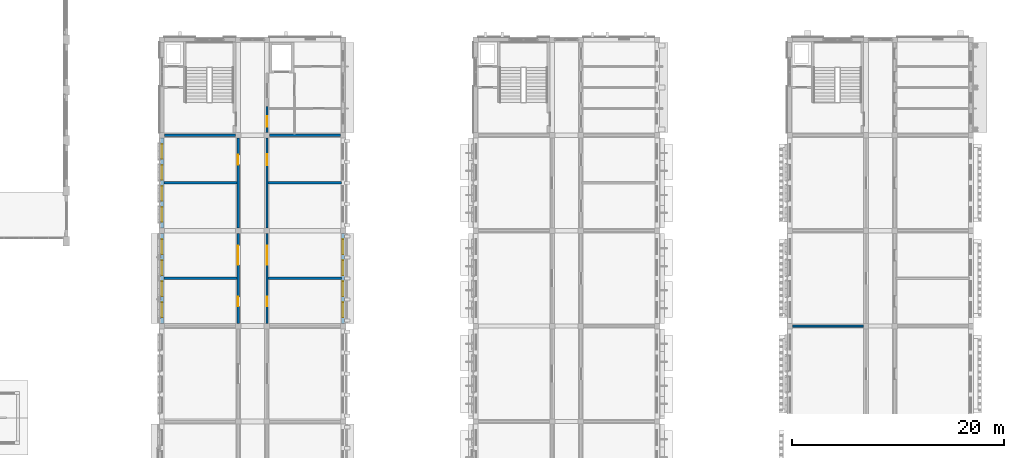
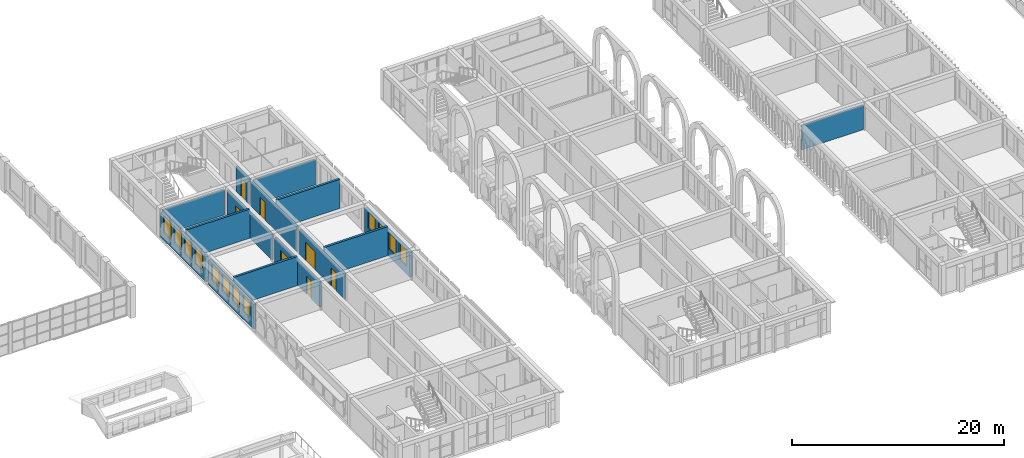
# One storey, part 39 of 70: 15 walls, 12 windows, 7 doors, 19 openings.
"""IFC4 building model written with IfcOpenShell, lengths in metres."""

from ifc_helpers import new_model, si_unit, direction, frame, frame_2d, origin, place, context, subcontext, project, spatial, rectangle, extrude, material, layer, layer_set, type_object, element, fill, save


model = new_model("IFC4")

# Units and contexts
model_context = context("Model", 3, precision=1e-05, world=origin(), true_north=direction((0.0, 1.0)))
body_context = subcontext(model_context, "Body", "Model", "MODEL_VIEW")
ifc_project = project(units=[si_unit("LENGTHUNIT", "METRE"), si_unit("AREAUNIT", "SQUARE_METRE"), si_unit("VOLUMEUNIT", "CUBIC_METRE"), si_unit("PLANEANGLEUNIT", "RADIAN"), si_unit("MASSUNIT", "GRAM", prefix="KILO")], contexts=[model_context])

# Site, building, storey
site_placement = place(None, origin())
site = spatial("IfcSite", under=ifc_project, at=site_placement, CompositionType="ELEMENT")
building_placement = place(site_placement, origin())
building = spatial("IfcBuilding", under=site, at=building_placement, Name="Elbe Cascade School", CompositionType="ELEMENT")
storey_placement = place(building_placement, frame((0.0, 0.0, 8.10009765625)))
storey = spatial("IfcBuildingStorey", under=building, at=storey_placement, Name="L02", CompositionType="ELEMENT", Elevation=8.10009765625)

# Walls
ifc_material_1 = material(Name="Masonry - lime-sand block, plastered", Category="masonry")
ifc_layer_1 = layer(ifc_material_1, 0.239990234375)
ifc_layer_set_1 = layer_set([ifc_layer_1], Name="Masonry - lime-sand block, plastered")
wall_type_1 = type_object("IfcWallType", Name="Bar acoustic partition wall lime-sand block 240", PredefinedType="PARTITIONING", material=ifc_layer_set_1)
for number, where, z_axis, x_axis, name in (
    (1, (69.179931640625, 37.5, 0.0), (0.0, 0.0, 1.0), (1.0, 0.0, 0.0), "Bar acoustic partition wall lime-sand block 240"),
    (2, (69.179931640625, 46.5, 0.0), (0.0, 0.0, 1.0), (1.0, 0.0, 0.0), "Bar acoustic partition wall lime-sand block 240"),
):
    element("IfcWall", number, at=place(storey_placement, frame(where, z_axis=z_axis, x_axis=x_axis)), inside=storey, type_object=wall_type_1, Name=name, PredefinedType="PARTITIONING", context=body_context, shape_type="SweptSolid", body=[
        extrude(rectangle(XDim=6.920166015625, YDim=0.239990234375, at=frame_2d((3.4599609375, 0.0))), origin(), (0.0, 0.0, 1.0), 3.349853515625),
    ])
for number, where, z_axis, x_axis, name in (
    (3, (79.0, 37.5, 0.0), (0.0, 0.0, 1.0), (1.0, 0.0, 0.0), "Bar acoustic partition wall lime-sand block 240"),
    (4, (79.0, 46.5, 0.0), (0.0, 0.0, 1.0), (1.0, 0.0, 0.0), "Bar acoustic partition wall lime-sand block 240"),
):
    element("IfcWall", number, at=place(storey_placement, frame(where, z_axis=z_axis, x_axis=x_axis)), inside=storey, type_object=wall_type_1, Name=name, PredefinedType="PARTITIONING", context=body_context, shape_type="SweptSolid", body=[
        extrude(rectangle(XDim=6.919921875, YDim=0.239990234375, at=frame_2d((3.4599609375, 0.0))), origin(), (0.0, 0.0, 1.0), 3.349853515625),
    ])
ifc_material_2 = material(Name="Masonry - lime-sand block, plastered", Category="masonry")
ifc_layer_2 = layer(ifc_material_2, 0.175048828125)
ifc_layer_set_2 = layer_set([ifc_layer_2], Name="Masonry - lime-sand block, plastered")
wall_type_2 = type_object("IfcWallType", Name="Bar classroom partition wall lime-sand block 175", PredefinedType="PARTITIONING", material=ifc_layer_set_2)
wall_1_placement = place(storey_placement, frame((128.449951171875, 33.0, 0.0), z_axis=(0.0, 0.0, 1.0), x_axis=(1.0, 0.0, 0.0)))
element("IfcWall", 5, at=wall_1_placement, inside=storey, type_object=wall_type_2, Name="Bar classroom partition wall lime-sand block 175", PredefinedType="PARTITIONING", context=body_context, shape_type="SweptSolid", body=[
    extrude(rectangle(XDim=6.699951171875, YDim=0.175048828125, at=frame_2d((3.35009765625, 0.0))), origin(), (0.0, 0.0, 1.0), 2.7998046875),
])

# Wall, opening, door
ifc_material_3 = material(Name="Masonry - lime-sand block, plastered", Category="masonry")
ifc_layer_3 = layer(ifc_material_3, 0.199951171875)
ifc_layer_set_3 = layer_set([ifc_layer_3], Name="Masonry - lime-sand block, plastered")
wall_type_3 = type_object("IfcWallType", Name="Bar corridor wall lime-sand block 200 EI 30", PredefinedType="PARTITIONING", material=ifc_layer_set_3)
wall_2_placement = place(storey_placement, frame((78.89990234375, 51.25, 0.0), z_axis=(0.0, 0.0, 1.0), x_axis=(0.0, 1.0, 0.0)))
wall_2 = element("IfcWall", 6, at=wall_2_placement, inside=storey, type_object=wall_type_3, Name="Bar corridor wall lime-sand block 200 EI 30", PredefinedType="PARTITIONING", context=body_context, shape_type="SweptSolid", body=[
    extrude(rectangle(XDim=2.449951171875, YDim=0.199951171875, at=frame_2d((1.22509765625, 0.0))), origin(), (0.0, 0.0, 1.0), 2.89990234375),
])
opening_1_placement = place(wall_2_placement, frame((0.550048828125, 0.0, 0.0)))
opening_1 = element("IfcOpeningElement", 7, at=opening_1_placement, cuts=wall_2, Name="Opening D2.020", PredefinedType="OPENING", context=body_context, shape_type="SweptSolid", body=[
    extrude(rectangle(XDim=1.0, YDim=2.10009765625, at=frame_2d((0.5, 1.050048828125))), frame((0.0, 0.10986328125, 0.0), z_axis=(0.0, -1.0, 0.0), x_axis=(1.0, 0.0, 0.0)), (0.0, 0.0, 1.0), 0.219970703125),
])
ifc_material_4 = material(Name="Timber door leaf, fire-resisting, steel frame", Category="steel")
door_type_1 = type_object("IfcDoorType", Name="Bar door FD30 1000x2100", OperationType="NOTDEFINED", PredefinedType="DOOR", material=ifc_material_4)
door_1_placement = place(opening_1_placement, origin())
door_1 = element("IfcDoor", 8, at=door_1_placement, inside=storey, type_object=door_type_1, Name="Door A2.19", OperationType="SINGLE_SWING_RIGHT", OverallHeight=2.10009765625, OverallWidth=1.0, PredefinedType="DOOR", context=body_context, shape_type="SweptSolid", body=[
    extrude(rectangle(XDim=1.0, YDim=2.10009765625, at=frame_2d((0.5, 1.050048828125))), frame((0.0, 0.02490234375, 0.0), z_axis=(0.0, -1.0, 0.0), x_axis=(1.0, 0.0, 0.0)), (0.0, 0.0, 1.0), 0.050048828125),
])
fill(opening_1, door_1)

# Wall, openings, doors
wall_3_placement = place(storey_placement, frame((76.199951171875, 33.25, 0.0), z_axis=(0.0, 0.0, 1.0), x_axis=(0.0, 1.0, 0.0)))
wall_3 = element("IfcWall", 9, at=wall_3_placement, inside=storey, type_object=wall_type_3, Name="Bar corridor wall lime-sand block 200 EI 30", PredefinedType="PARTITIONING", context=body_context, shape_type="SweptSolid", body=[
    extrude(rectangle(XDim=8.5, YDim=0.199951171875, at=frame_2d((4.25, 0.0))), origin(), (0.0, 0.0, 1.0), 2.89990234375),
])
opening_2_placement = place(wall_3_placement, frame((1.614990234375, 0.0, 0.0)))
opening_2 = element("IfcOpeningElement", 10, at=opening_2_placement, cuts=wall_3, Name="Opening D2.014", PredefinedType="OPENING", context=body_context, shape_type="SweptSolid", body=[
    extrude(rectangle(XDim=0.89990234375, YDim=2.10009765625, at=frame_2d((0.449951171875, 1.050048828125))), frame((0.0, 0.10986328125, 0.0), z_axis=(0.0, -1.0, 0.0), x_axis=(1.0, 0.0, 0.0)), (0.0, 0.0, 1.0), 0.219970703125),
])
opening_3_placement = place(wall_3_placement, frame((5.534912109375, 0.0, 0.0)))
opening_3 = element("IfcOpeningElement", 11, at=opening_3_placement, cuts=wall_3, Name="Opening D2.016", PredefinedType="OPENING", context=body_context, shape_type="SweptSolid", body=[
    extrude(rectangle(XDim=1.800048828125, YDim=2.10009765625, at=frame_2d((0.89990234375, 1.050048828125))), frame((0.0, 0.10986328125, 0.0), z_axis=(0.0, -1.0, 0.0), x_axis=(1.0, 0.0, 0.0)), (0.0, 0.0, 1.0), 0.219970703125),
])
ifc_material_5 = material(Name="Timber door leaves, fire-resisting, steel frame", Category="steel")
door_type_2 = type_object("IfcDoorType", Name="Bar door FD30 1800x2100", OperationType="NOTDEFINED", PredefinedType="DOOR", material=ifc_material_5)
door_2_placement = place(opening_3_placement, origin())
door_2 = element("IfcDoor", 12, at=door_2_placement, inside=storey, type_object=door_type_2, Name="Door A2.23", OperationType="DOUBLE_DOOR_DOUBLE_SWING", OverallHeight=2.10009765625, OverallWidth=1.800048828125, PredefinedType="DOOR", context=body_context, shape_type="SweptSolid", body=[
    extrude(rectangle(XDim=1.800048828125, YDim=2.10009765625, at=frame_2d((0.89990234375, 1.050048828125))), frame((0.0, 0.02490234375, 0.0), z_axis=(0.0, -1.0, 0.0), x_axis=(1.0, 0.0, 0.0)), (0.0, 0.0, 1.0), 0.050048828125),
])
fill(opening_3, door_2)
ifc_material_6 = material(Name="Timber door leaf, fire-resisting, steel frame", Category="steel")
door_type_3 = type_object("IfcDoorType", Name="Bar door FD30 900x2100", OperationType="NOTDEFINED", PredefinedType="DOOR", material=ifc_material_6)
door_3_placement = place(opening_2_placement, origin())
door_3 = element("IfcDoor", 13, at=door_3_placement, inside=storey, type_object=door_type_3, Name="Door A2.22", OperationType="SINGLE_SWING_LEFT", OverallHeight=2.10009765625, OverallWidth=0.89990234375, PredefinedType="DOOR", context=body_context, shape_type="SweptSolid", body=[
    extrude(rectangle(XDim=0.89990234375, YDim=2.10009765625, at=frame_2d((0.449951171875, 1.050048828125))), frame((0.0, 0.02490234375, 0.0), z_axis=(0.0, -1.0, 0.0), x_axis=(1.0, 0.0, 0.0)), (0.0, 0.0, 1.0), 0.050048828125),
])
fill(opening_2, door_3)

# Wall, opening, door
wall_4_placement = place(storey_placement, frame((76.199951171875, 42.25, 0.0), z_axis=(0.0, 0.0, 1.0), x_axis=(0.0, 1.0, 0.0)))
wall_4 = element("IfcWall", 14, at=wall_4_placement, inside=storey, type_object=wall_type_3, Name="Bar corridor wall lime-sand block 200 EI 30", PredefinedType="PARTITIONING", context=body_context, shape_type="SweptSolid", body=[
    extrude(rectangle(XDim=8.5, YDim=0.199951171875, at=frame_2d((4.25, 0.0))), origin(), (0.0, 0.0, 1.0), 2.89990234375),
])
opening_4_placement = place(wall_4_placement, frame((5.985107421875, 0.0, 0.0)))
opening_4 = element("IfcOpeningElement", 15, at=opening_4_placement, cuts=wall_4, Name="Opening D2.018", PredefinedType="OPENING", context=body_context, shape_type="SweptSolid", body=[
    extrude(rectangle(XDim=0.89990234375, YDim=2.10009765625, at=frame_2d((0.449951171875, 1.050048828125))), frame((0.0, 0.10986328125, 0.0), z_axis=(0.0, -1.0, 0.0), x_axis=(1.0, 0.0, 0.0)), (0.0, 0.0, 1.0), 0.219970703125),
])
door_4_placement = place(opening_4_placement, origin())
door_4 = element("IfcDoor", 16, at=door_4_placement, inside=storey, type_object=door_type_3, Name="Door A2.24", OperationType="SINGLE_SWING_LEFT", OverallHeight=2.10009765625, OverallWidth=0.89990234375, PredefinedType="DOOR", context=body_context, shape_type="SweptSolid", body=[
    extrude(rectangle(XDim=0.89990234375, YDim=2.10009765625, at=frame_2d((0.449951171875, 1.050048828125))), frame((0.0, 0.02490234375, 0.0), z_axis=(0.0, -1.0, 0.0), x_axis=(1.0, 0.0, 0.0)), (0.0, 0.0, 1.0), 0.050048828125),
])
fill(opening_4, door_4)

# Wall, openings, doors
wall_5_placement = place(storey_placement, frame((78.89990234375, 41.75, 0.0), z_axis=(0.0, 0.0, 1.0), x_axis=(0.0, -1.0, 0.0)))
wall_5 = element("IfcWall", 17, at=wall_5_placement, inside=storey, type_object=wall_type_3, Name="Bar corridor wall lime-sand block 200 EI 30", PredefinedType="PARTITIONING", context=body_context, shape_type="SweptSolid", body=[
    extrude(rectangle(XDim=8.5, YDim=0.199951171875, at=frame_2d((4.25, 0.0))), origin(), (0.0, 0.0, 1.0), 2.89990234375),
])
opening_5_placement = place(wall_5_placement, frame((5.985107421875, 0.0, 0.0)))
opening_5 = element("IfcOpeningElement", 18, at=opening_5_placement, cuts=wall_5, Name="Opening D2.015", PredefinedType="OPENING", context=body_context, shape_type="SweptSolid", body=[
    extrude(rectangle(XDim=0.89990234375, YDim=2.10009765625, at=frame_2d((0.449951171875, 1.050048828125))), frame((0.0, 0.10986328125, 0.0), z_axis=(0.0, -1.0, 0.0), x_axis=(1.0, 0.0, 0.0)), (0.0, 0.0, 1.0), 0.219970703125),
])
opening_6_placement = place(wall_5_placement, frame((1.1650390625, 0.0, 0.0)))
opening_6 = element("IfcOpeningElement", 19, at=opening_6_placement, cuts=wall_5, Name="Opening D2.017", PredefinedType="OPENING", context=body_context, shape_type="SweptSolid", body=[
    extrude(rectangle(XDim=1.800048828125, YDim=2.10009765625, at=frame_2d((0.89990234375, 1.050048828125))), frame((0.0, 0.10986328125, 0.0), z_axis=(0.0, -1.0, 0.0), x_axis=(1.0, 0.0, 0.0)), (0.0, 0.0, 1.0), 0.219970703125),
])
door_5_placement = place(opening_6_placement, origin())
door_5 = element("IfcDoor", 20, at=door_5_placement, inside=storey, type_object=door_type_2, Name="Door A2.28", OperationType="DOUBLE_DOOR_DOUBLE_SWING", OverallHeight=2.10009765625, OverallWidth=1.800048828125, PredefinedType="DOOR", context=body_context, shape_type="SweptSolid", body=[
    extrude(rectangle(XDim=1.800048828125, YDim=2.10009765625, at=frame_2d((0.89990234375, 1.050048828125))), frame((0.0, 0.02490234375, 0.0), z_axis=(0.0, -1.0, 0.0), x_axis=(1.0, 0.0, 0.0)), (0.0, 0.0, 1.0), 0.050048828125),
])
fill(opening_6, door_5)
door_6_placement = place(opening_5_placement, origin())
door_6 = element("IfcDoor", 21, at=door_6_placement, inside=storey, type_object=door_type_3, Name="Door A2.27", OperationType="SINGLE_SWING_RIGHT", OverallHeight=2.10009765625, OverallWidth=0.89990234375, PredefinedType="DOOR", context=body_context, shape_type="SweptSolid", body=[
    extrude(rectangle(XDim=0.89990234375, YDim=2.10009765625, at=frame_2d((0.449951171875, 1.050048828125))), frame((0.0, 0.02490234375, 0.0), z_axis=(0.0, -1.0, 0.0), x_axis=(1.0, 0.0, 0.0)), (0.0, 0.0, 1.0), 0.050048828125),
])
fill(opening_5, door_6)

# Wall, opening, door
wall_6_placement = place(storey_placement, frame((78.89990234375, 50.75, 0.0), z_axis=(0.0, 0.0, 1.0), x_axis=(0.0, -1.0, 0.0)))
wall_6 = element("IfcWall", 22, at=wall_6_placement, inside=storey, type_object=wall_type_3, Name="Bar corridor wall lime-sand block 200 EI 30", PredefinedType="PARTITIONING", context=body_context, shape_type="SweptSolid", body=[
    extrude(rectangle(XDim=8.5, YDim=0.199951171875, at=frame_2d((4.25, 0.0))), origin(), (0.0, 0.0, 1.0), 2.89990234375),
])
opening_7_placement = place(wall_6_placement, frame((1.56494140625, 0.0, 0.0)))
opening_7 = element("IfcOpeningElement", 23, at=opening_7_placement, cuts=wall_6, Name="Opening D2.019", PredefinedType="OPENING", context=body_context, shape_type="SweptSolid", body=[
    extrude(rectangle(XDim=1.0, YDim=2.10009765625, at=frame_2d((0.5, 1.050048828125))), frame((0.0, 0.10986328125, 0.0), z_axis=(0.0, -1.0, 0.0), x_axis=(1.0, 0.0, 0.0)), (0.0, 0.0, 1.0), 0.219970703125),
])
door_7_placement = place(opening_7_placement, origin())
door_7 = element("IfcDoor", 24, at=door_7_placement, inside=storey, type_object=door_type_1, Name="Door A2.29", OperationType="SINGLE_SWING_RIGHT", OverallHeight=2.10009765625, OverallWidth=1.0, PredefinedType="DOOR", context=body_context, shape_type="SweptSolid", body=[
    extrude(rectangle(XDim=1.0, YDim=2.10009765625, at=frame_2d((0.5, 1.050048828125))), frame((0.0, 0.02490234375, 0.0), z_axis=(0.0, -1.0, 0.0), x_axis=(1.0, 0.0, 0.0)), (0.0, 0.0, 1.0), 0.050048828125),
])
fill(opening_7, door_7)

# Walls
ifc_material_7 = material(Name="Masonry - lime-sand block, plastered", Category="masonry")
ifc_layer_4 = layer(ifc_material_7, 0.199951171875)
ifc_layer_set_4 = layer_set([ifc_layer_4], Name="Masonry - lime-sand block, plastered")
wall_type_4 = type_object("IfcWallType", Name="Bar partition wall lime-sand block 200", PredefinedType="PARTITIONING", material=ifc_layer_set_4)
wall_7_placement = place(storey_placement, frame((79.14990234375, 51.0, 0.0), z_axis=(0.0, 0.0, 1.0), x_axis=(1.0, 0.0, 0.0)))
element("IfcWall", 25, at=wall_7_placement, inside=storey, type_object=wall_type_4, Name="Bar partition wall lime-sand block 200", PredefinedType="PARTITIONING", context=body_context, shape_type="SweptSolid", body=[
    extrude(rectangle(XDim=6.7001953125, YDim=0.199951171875, at=frame_2d((3.35009765625, 0.0))), origin(), (0.0, 0.0, 1.0), 2.89990234375),
])
ifc_material_8 = material(Name="Concrete C30/37", Category="concrete")
ifc_layer_5 = layer(ifc_material_8, 0.199951171875)
ifc_layer_set_5 = layer_set([ifc_layer_5], Name="Concrete C30/37")
wall_type_5 = type_object("IfcWallType", Name="Bar stair lobby wall RC 200", PredefinedType="SOLIDWALL", material=ifc_layer_set_5)
wall_8_placement = place(storey_placement, frame((69.25, 51.0, 0.0), z_axis=(0.0, 0.0, 1.0), x_axis=(1.0, 0.0, 0.0)))
element("IfcWall", 26, at=wall_8_placement, inside=storey, type_object=wall_type_5, Name="Bar stair lobby wall RC 200", PredefinedType="SOLIDWALL", context=body_context, shape_type="SweptSolid", body=[
    extrude(rectangle(XDim=6.699951171875, YDim=0.199951171875, at=frame_2d((3.35009765625, 0.0))), origin(), (0.0, 0.0, 1.0), 2.89990234375),
])

# Wall, openings, windows
ifc_material_9 = material(Name="Brick masonry - red clinker, cavity wall with render backing", Category="masonry")
ifc_layer_6 = layer(ifc_material_9, 0.300048828125)
ifc_layer_set_6 = layer_set([ifc_layer_6], Name="Brick masonry - red clinker, cavity wall with render backing")
wall_type_6 = type_object("IfcWallType", Name="Bars envelope External wall - clinker brick cavity, 300 upper floors", PredefinedType="STANDARD", material=ifc_layer_set_6)
wall_9_placement = place(storey_placement, frame((69.030029296875, 33.25, 0.0), z_axis=(0.0, 0.0, 1.0), x_axis=(0.0, 1.0, 0.0)))
wall_9 = element("IfcWall", 27, at=wall_9_placement, inside=storey, type_object=wall_type_6, Name="External wall W30 A.L02.w4", PredefinedType="STANDARD", context=body_context, shape_type="SweptSolid", body=[
    extrude(rectangle(XDim=8.5, YDim=0.300048828125, at=frame_2d((4.25, 0.0))), origin(), (0.0, 0.0, 1.0), 2.849853515625),
])
opening_8_placement = place(wall_9_placement, frame((0.580078125, 0.0, 0.89990234375)))
opening_8 = element("IfcOpeningElement", 28, at=opening_8_placement, cuts=wall_9, Name="Opening W2.020", PredefinedType="OPENING", context=body_context, shape_type="SweptSolid", body=[
    extrude(rectangle(XDim=1.39990234375, YDim=1.89990234375, at=frame_2d((0.699951171875, 0.949951171875))), frame((0.0, 0.159912109375, 0.0), z_axis=(0.0, -1.0, 0.0), x_axis=(1.0, 0.0, 0.0)), (0.0, 0.0, 1.0), 0.320068359375),
])
opening_9_placement = place(wall_9_placement, frame((2.56005859375, 0.0, 0.89990234375)))
opening_9 = element("IfcOpeningElement", 29, at=opening_9_placement, cuts=wall_9, Name="Opening W2.022", PredefinedType="OPENING", context=body_context, shape_type="SweptSolid", body=[
    extrude(rectangle(XDim=1.39990234375, YDim=1.89990234375, at=frame_2d((0.699951171875, 0.949951171875))), frame((0.0, 0.159912109375, 0.0), z_axis=(0.0, -1.0, 0.0), x_axis=(1.0, 0.0, 0.0)), (0.0, 0.0, 1.0), 0.320068359375),
])
opening_10_placement = place(wall_9_placement, frame((4.5400390625, 0.0, 0.89990234375)))
opening_10 = element("IfcOpeningElement", 30, at=opening_10_placement, cuts=wall_9, Name="Opening W2.024", PredefinedType="OPENING", context=body_context, shape_type="SweptSolid", body=[
    extrude(rectangle(XDim=1.39990234375, YDim=1.89990234375, at=frame_2d((0.699951171875, 0.949951171875))), frame((0.0, 0.159912109375, 0.0), z_axis=(0.0, -1.0, 0.0), x_axis=(1.0, 0.0, 0.0)), (0.0, 0.0, 1.0), 0.320068359375),
])
opening_11_placement = place(wall_9_placement, frame((6.52001953125, 0.0, 0.89990234375)))
opening_11 = element("IfcOpeningElement", 31, at=opening_11_placement, cuts=wall_9, Name="Opening W2.026", PredefinedType="OPENING", context=body_context, shape_type="SweptSolid", body=[
    extrude(rectangle(XDim=1.39990234375, YDim=1.89990234375, at=frame_2d((0.699951171875, 0.949951171875))), frame((0.0, 0.159912109375, 0.0), z_axis=(0.0, -1.0, 0.0), x_axis=(1.0, 0.0, 0.0)), (0.0, 0.0, 1.0), 0.320068359375),
])
ifc_material_10 = material(Name="Aluminium frame with double glazing, bronze anodised", Category="aluminium")
window_type = type_object("IfcWindowType", Name="Bars envelope Window 1400 x 1900, laboratory and office, bench height sill, aluminium double glazed", PartitioningType="DOUBLE_PANEL_VERTICAL", PredefinedType="WINDOW", material=ifc_material_10)
window_1_placement = place(opening_8_placement, origin())
window_1 = element("IfcWindow", 32, at=window_1_placement, inside=storey, type_object=window_type, Name="Window WN6 A.L02.w4.1", OverallHeight=1.89990234375, OverallWidth=1.39990234375, PartitioningType="DOUBLE_PANEL_VERTICAL", PredefinedType="WINDOW", context=body_context, shape_type="SweptSolid", body=[
    extrude(rectangle(XDim=1.39990234375, YDim=1.89990234375, at=frame_2d((0.699951171875, 0.949951171875))), frame((0.0, 0.030029296875, 0.0), z_axis=(0.0, -1.0, 0.0), x_axis=(1.0, 0.0, 0.0)), (0.0, 0.0, 1.0), 0.06005859375),
])
fill(opening_8, window_1)
window_2_placement = place(opening_9_placement, origin())
window_2 = element("IfcWindow", 33, at=window_2_placement, inside=storey, type_object=window_type, Name="Window WN6 A.L02.w4.2", OverallHeight=1.89990234375, OverallWidth=1.39990234375, PartitioningType="DOUBLE_PANEL_VERTICAL", PredefinedType="WINDOW", context=body_context, shape_type="SweptSolid", body=[
    extrude(rectangle(XDim=1.39990234375, YDim=1.89990234375, at=frame_2d((0.699951171875, 0.949951171875))), frame((0.0, 0.030029296875, 0.0), z_axis=(0.0, -1.0, 0.0), x_axis=(1.0, 0.0, 0.0)), (0.0, 0.0, 1.0), 0.06005859375),
])
fill(opening_9, window_2)
window_3_placement = place(opening_10_placement, origin())
window_3 = element("IfcWindow", 34, at=window_3_placement, inside=storey, type_object=window_type, Name="Window WN6 A.L02.w4.3", OverallHeight=1.89990234375, OverallWidth=1.39990234375, PartitioningType="DOUBLE_PANEL_VERTICAL", PredefinedType="WINDOW", context=body_context, shape_type="SweptSolid", body=[
    extrude(rectangle(XDim=1.39990234375, YDim=1.89990234375, at=frame_2d((0.699951171875, 0.949951171875))), frame((0.0, 0.030029296875, 0.0), z_axis=(0.0, -1.0, 0.0), x_axis=(1.0, 0.0, 0.0)), (0.0, 0.0, 1.0), 0.06005859375),
])
fill(opening_10, window_3)
window_4_placement = place(opening_11_placement, origin())
window_4 = element("IfcWindow", 35, at=window_4_placement, inside=storey, type_object=window_type, Name="Window WN6 A.L02.w4.4", OverallHeight=1.89990234375, OverallWidth=1.39990234375, PartitioningType="DOUBLE_PANEL_VERTICAL", PredefinedType="WINDOW", context=body_context, shape_type="SweptSolid", body=[
    extrude(rectangle(XDim=1.39990234375, YDim=1.89990234375, at=frame_2d((0.699951171875, 0.949951171875))), frame((0.0, 0.030029296875, 0.0), z_axis=(0.0, -1.0, 0.0), x_axis=(1.0, 0.0, 0.0)), (0.0, 0.0, 1.0), 0.06005859375),
])
fill(opening_11, window_4)

wall_10_placement = place(storey_placement, frame((69.030029296875, 42.25, 0.0), z_axis=(0.0, 0.0, 1.0), x_axis=(0.0, 1.0, 0.0)))
wall_10 = element("IfcWall", 36, at=wall_10_placement, inside=storey, type_object=wall_type_6, Name="External wall W30 A.L02.w5", PredefinedType="STANDARD", context=body_context, shape_type="SweptSolid", body=[
    extrude(rectangle(XDim=8.5, YDim=0.300048828125, at=frame_2d((4.25, 0.0))), origin(), (0.0, 0.0, 1.0), 2.849853515625),
])
opening_12_placement = place(wall_10_placement, frame((0.580078125, 0.0, 0.89990234375)))
opening_12 = element("IfcOpeningElement", 37, at=opening_12_placement, cuts=wall_10, Name="Opening W2.028", PredefinedType="OPENING", context=body_context, shape_type="SweptSolid", body=[
    extrude(rectangle(XDim=1.39990234375, YDim=1.89990234375, at=frame_2d((0.699951171875, 0.949951171875))), frame((0.0, 0.159912109375, 0.0), z_axis=(0.0, -1.0, 0.0), x_axis=(1.0, 0.0, 0.0)), (0.0, 0.0, 1.0), 0.320068359375),
])
opening_13_placement = place(wall_10_placement, frame((2.56005859375, 0.0, 0.89990234375)))
opening_13 = element("IfcOpeningElement", 38, at=opening_13_placement, cuts=wall_10, Name="Opening W2.030", PredefinedType="OPENING", context=body_context, shape_type="SweptSolid", body=[
    extrude(rectangle(XDim=1.39990234375, YDim=1.89990234375, at=frame_2d((0.699951171875, 0.949951171875))), frame((0.0, 0.159912109375, 0.0), z_axis=(0.0, -1.0, 0.0), x_axis=(1.0, 0.0, 0.0)), (0.0, 0.0, 1.0), 0.320068359375),
])
opening_14_placement = place(wall_10_placement, frame((4.5400390625, 0.0, 0.89990234375)))
opening_14 = element("IfcOpeningElement", 39, at=opening_14_placement, cuts=wall_10, Name="Opening W2.032", PredefinedType="OPENING", context=body_context, shape_type="SweptSolid", body=[
    extrude(rectangle(XDim=1.39990234375, YDim=1.89990234375, at=frame_2d((0.699951171875, 0.949951171875))), frame((0.0, 0.159912109375, 0.0), z_axis=(0.0, -1.0, 0.0), x_axis=(1.0, 0.0, 0.0)), (0.0, 0.0, 1.0), 0.320068359375),
])
opening_15_placement = place(wall_10_placement, frame((6.52001953125, 0.0, 0.89990234375)))
opening_15 = element("IfcOpeningElement", 40, at=opening_15_placement, cuts=wall_10, Name="Opening W2.034", PredefinedType="OPENING", context=body_context, shape_type="SweptSolid", body=[
    extrude(rectangle(XDim=1.39990234375, YDim=1.89990234375, at=frame_2d((0.699951171875, 0.949951171875))), frame((0.0, 0.159912109375, 0.0), z_axis=(0.0, -1.0, 0.0), x_axis=(1.0, 0.0, 0.0)), (0.0, 0.0, 1.0), 0.320068359375),
])
window_5_placement = place(opening_12_placement, origin())
window_5 = element("IfcWindow", 41, at=window_5_placement, inside=storey, type_object=window_type, Name="Window WN6 A.L02.w5.1", OverallHeight=1.89990234375, OverallWidth=1.39990234375, PartitioningType="DOUBLE_PANEL_VERTICAL", PredefinedType="WINDOW", context=body_context, shape_type="SweptSolid", body=[
    extrude(rectangle(XDim=1.39990234375, YDim=1.89990234375, at=frame_2d((0.699951171875, 0.949951171875))), frame((0.0, 0.030029296875, 0.0), z_axis=(0.0, -1.0, 0.0), x_axis=(1.0, 0.0, 0.0)), (0.0, 0.0, 1.0), 0.06005859375),
])
fill(opening_12, window_5)
window_6_placement = place(opening_13_placement, origin())
window_6 = element("IfcWindow", 42, at=window_6_placement, inside=storey, type_object=window_type, Name="Window WN6 A.L02.w5.2", OverallHeight=1.89990234375, OverallWidth=1.39990234375, PartitioningType="DOUBLE_PANEL_VERTICAL", PredefinedType="WINDOW", context=body_context, shape_type="SweptSolid", body=[
    extrude(rectangle(XDim=1.39990234375, YDim=1.89990234375, at=frame_2d((0.699951171875, 0.949951171875))), frame((0.0, 0.030029296875, 0.0), z_axis=(0.0, -1.0, 0.0), x_axis=(1.0, 0.0, 0.0)), (0.0, 0.0, 1.0), 0.06005859375),
])
fill(opening_13, window_6)
window_7_placement = place(opening_14_placement, origin())
window_7 = element("IfcWindow", 43, at=window_7_placement, inside=storey, type_object=window_type, Name="Window WN6 A.L02.w5.3", OverallHeight=1.89990234375, OverallWidth=1.39990234375, PartitioningType="DOUBLE_PANEL_VERTICAL", PredefinedType="WINDOW", context=body_context, shape_type="SweptSolid", body=[
    extrude(rectangle(XDim=1.39990234375, YDim=1.89990234375, at=frame_2d((0.699951171875, 0.949951171875))), frame((0.0, 0.030029296875, 0.0), z_axis=(0.0, -1.0, 0.0), x_axis=(1.0, 0.0, 0.0)), (0.0, 0.0, 1.0), 0.06005859375),
])
fill(opening_14, window_7)
window_8_placement = place(opening_15_placement, origin())
window_8 = element("IfcWindow", 44, at=window_8_placement, inside=storey, type_object=window_type, Name="Window WN6 A.L02.w5.4", OverallHeight=1.89990234375, OverallWidth=1.39990234375, PartitioningType="DOUBLE_PANEL_VERTICAL", PredefinedType="WINDOW", context=body_context, shape_type="SweptSolid", body=[
    extrude(rectangle(XDim=1.39990234375, YDim=1.89990234375, at=frame_2d((0.699951171875, 0.949951171875))), frame((0.0, 0.030029296875, 0.0), z_axis=(0.0, -1.0, 0.0), x_axis=(1.0, 0.0, 0.0)), (0.0, 0.0, 1.0), 0.06005859375),
])
fill(opening_15, window_8)

wall_11_placement = place(storey_placement, frame((86.070068359375, 41.75, 0.0), z_axis=(0.0, 0.0, 1.0), x_axis=(0.0, -1.0, 0.0)))
wall_11 = element("IfcWall", 45, at=wall_11_placement, inside=storey, type_object=wall_type_6, Name="External wall W30 A.L02.e4", PredefinedType="STANDARD", context=body_context, shape_type="SweptSolid", body=[
    extrude(rectangle(XDim=8.5, YDim=0.300048828125, at=frame_2d((4.25, 0.0))), origin(), (0.0, 0.0, 1.0), 2.849853515625),
])
opening_16_placement = place(wall_11_placement, frame((6.52001953125, 0.0, 0.89990234375)))
opening_16 = element("IfcOpeningElement", 46, at=opening_16_placement, cuts=wall_11, Name="Opening W2.021", PredefinedType="OPENING", context=body_context, shape_type="SweptSolid", body=[
    extrude(rectangle(XDim=1.39990234375, YDim=1.89990234375, at=frame_2d((0.699951171875, 0.949951171875))), frame((0.0, 0.159912109375, 0.0), z_axis=(0.0, -1.0, 0.0), x_axis=(1.0, 0.0, 0.0)), (0.0, 0.0, 1.0), 0.320068359375),
])
opening_17_placement = place(wall_11_placement, frame((4.5400390625, 0.0, 0.89990234375)))
opening_17 = element("IfcOpeningElement", 47, at=opening_17_placement, cuts=wall_11, Name="Opening W2.023", PredefinedType="OPENING", context=body_context, shape_type="SweptSolid", body=[
    extrude(rectangle(XDim=1.39990234375, YDim=1.89990234375, at=frame_2d((0.699951171875, 0.949951171875))), frame((0.0, 0.159912109375, 0.0), z_axis=(0.0, -1.0, 0.0), x_axis=(1.0, 0.0, 0.0)), (0.0, 0.0, 1.0), 0.320068359375),
])
opening_18_placement = place(wall_11_placement, frame((2.56005859375, 0.0, 0.89990234375)))
opening_18 = element("IfcOpeningElement", 48, at=opening_18_placement, cuts=wall_11, Name="Opening W2.025", PredefinedType="OPENING", context=body_context, shape_type="SweptSolid", body=[
    extrude(rectangle(XDim=1.39990234375, YDim=1.89990234375, at=frame_2d((0.699951171875, 0.949951171875))), frame((0.0, 0.159912109375, 0.0), z_axis=(0.0, -1.0, 0.0), x_axis=(1.0, 0.0, 0.0)), (0.0, 0.0, 1.0), 0.320068359375),
])
opening_19_placement = place(wall_11_placement, frame((0.580078125, 0.0, 0.89990234375)))
opening_19 = element("IfcOpeningElement", 49, at=opening_19_placement, cuts=wall_11, Name="Opening W2.027", PredefinedType="OPENING", context=body_context, shape_type="SweptSolid", body=[
    extrude(rectangle(XDim=1.39990234375, YDim=1.89990234375, at=frame_2d((0.699951171875, 0.949951171875))), frame((0.0, 0.159912109375, 0.0), z_axis=(0.0, -1.0, 0.0), x_axis=(1.0, 0.0, 0.0)), (0.0, 0.0, 1.0), 0.320068359375),
])
window_9_placement = place(opening_16_placement, origin())
window_9 = element("IfcWindow", 50, at=window_9_placement, inside=storey, type_object=window_type, Name="Window WN6 A.L02.e4.1", OverallHeight=1.89990234375, OverallWidth=1.39990234375, PartitioningType="DOUBLE_PANEL_VERTICAL", PredefinedType="WINDOW", context=body_context, shape_type="SweptSolid", body=[
    extrude(rectangle(XDim=1.39990234375, YDim=1.89990234375, at=frame_2d((0.699951171875, 0.949951171875))), frame((0.0, 0.030029296875, 0.0), z_axis=(0.0, -1.0, 0.0), x_axis=(1.0, 0.0, 0.0)), (0.0, 0.0, 1.0), 0.06005859375),
])
fill(opening_16, window_9)
window_10_placement = place(opening_17_placement, origin())
window_10 = element("IfcWindow", 51, at=window_10_placement, inside=storey, type_object=window_type, Name="Window WN6 A.L02.e4.2", OverallHeight=1.89990234375, OverallWidth=1.39990234375, PartitioningType="DOUBLE_PANEL_VERTICAL", PredefinedType="WINDOW", context=body_context, shape_type="SweptSolid", body=[
    extrude(rectangle(XDim=1.39990234375, YDim=1.89990234375, at=frame_2d((0.699951171875, 0.949951171875))), frame((0.0, 0.030029296875, 0.0), z_axis=(0.0, -1.0, 0.0), x_axis=(1.0, 0.0, 0.0)), (0.0, 0.0, 1.0), 0.06005859375),
])
fill(opening_17, window_10)
window_11_placement = place(opening_18_placement, origin())
window_11 = element("IfcWindow", 52, at=window_11_placement, inside=storey, type_object=window_type, Name="Window WN6 A.L02.e4.3", OverallHeight=1.89990234375, OverallWidth=1.39990234375, PartitioningType="DOUBLE_PANEL_VERTICAL", PredefinedType="WINDOW", context=body_context, shape_type="SweptSolid", body=[
    extrude(rectangle(XDim=1.39990234375, YDim=1.89990234375, at=frame_2d((0.699951171875, 0.949951171875))), frame((0.0, 0.030029296875, 0.0), z_axis=(0.0, -1.0, 0.0), x_axis=(1.0, 0.0, 0.0)), (0.0, 0.0, 1.0), 0.06005859375),
])
fill(opening_18, window_11)
window_12_placement = place(opening_19_placement, origin())
window_12 = element("IfcWindow", 53, at=window_12_placement, inside=storey, type_object=window_type, Name="Window WN6 A.L02.e4.4", OverallHeight=1.89990234375, OverallWidth=1.39990234375, PartitioningType="DOUBLE_PANEL_VERTICAL", PredefinedType="WINDOW", context=body_context, shape_type="SweptSolid", body=[
    extrude(rectangle(XDim=1.39990234375, YDim=1.89990234375, at=frame_2d((0.699951171875, 0.949951171875))), frame((0.0, 0.030029296875, 0.0), z_axis=(0.0, -1.0, 0.0), x_axis=(1.0, 0.0, 0.0)), (0.0, 0.0, 1.0), 0.06005859375),
])
fill(opening_19, window_12)

save(model, "model.ifc")
